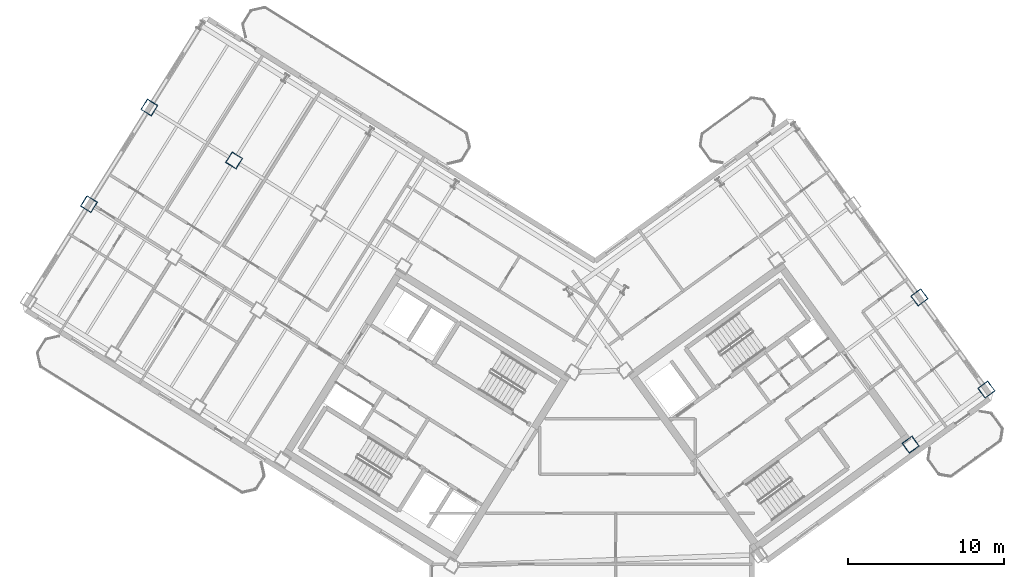
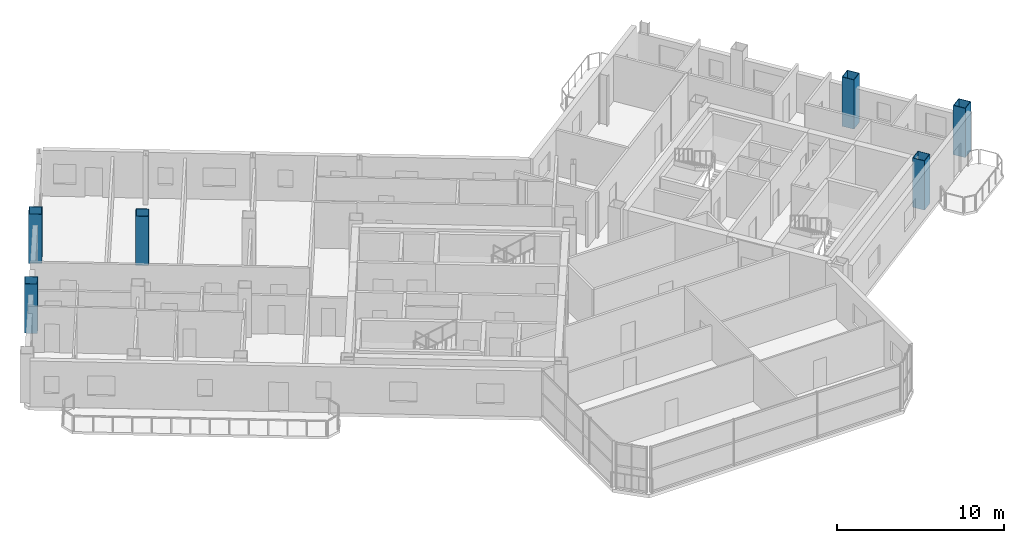
# One storey, part 2 of 20: 6 columns.
"""IFC4 building model written with IfcOpenShell, lengths in metres."""

import ifcopenshell
import ifcopenshell.guid

model = None  # the IFC model being written
_history = None  # IfcOwnerHistory: only IFC2X3 demands one
_inside = {}  # id of a spatial element -> (the spatial element, [elements in it])
_under = {}  # id of a project, library or spatial element -> (it, [spatial elements below it])
_declared = {}  # id of a project -> (the project, [libraries it declares])
_typed = {}  # id of a type object -> (the type object, [elements of that type])
_made_of = {}  # id of a material, layer set ... -> (it, [elements and type objects made of it])


def new_model(schema):
    """Start an empty IFC model of exactly this schema.

    Asked for "IFC4X3", IfcOpenShell would pick the latest addendum, in which some entities
    have other attributes; the version numbers below select the first issue.
    IFC2X3 requires an IfcOwnerHistory on every rooted entity: one is made here for all.
    """
    global model, _history
    if schema == "IFC4X3":
        model = ifcopenshell.file(schema_version=(4, 3, 0, 0))
    else:
        model = ifcopenshell.file(schema=schema)
    _inside.clear()
    _under.clear()
    _declared.clear()
    _typed.clear()
    _made_of.clear()
    _history = None
    if model.schema == "IFC2X3":
        org = make("IfcOrganization", Name="unknown")
        user = make(
            "IfcPersonAndOrganization",
            ThePerson=make("IfcPerson", FamilyName="unknown"),
            TheOrganization=org,
        )
        app = make(
            "IfcApplication",
            ApplicationDeveloper=org,
            Version="unknown",
            ApplicationFullName="unknown",
            ApplicationIdentifier="unknown",
        )
        _history = make(
            "IfcOwnerHistory",
            OwningUser=user,
            OwningApplication=app,
            ChangeAction="ADDED",
            CreationDate=0,
        )
    return model


def make(cls, **values):
    """One entity of the class cls with the attributes given. An attribute that is None is left unset."""
    return model.create_entity(
        cls, **{name: value for name, value in values.items() if value is not None}
    )


def rooted(cls, **values):
    """An entity with a GlobalId (a new one), such as an element, a storey or a relation."""
    return make(cls, GlobalId=ifcopenshell.guid.new(), OwnerHistory=_history, **values)


def si_unit(unit_type, name, prefix=None):
    """IfcSIUnit, for example si_unit("LENGTHUNIT", "METRE", prefix="MILLI")."""
    return make("IfcSIUnit", UnitType=unit_type, Prefix=prefix, Name=name)


def assignment(units):
    """IfcUnitAssignment: the units of a project."""
    return None if units is None else make("IfcUnitAssignment", Units=units)


def point(xyz):
    """IfcCartesianPoint."""
    return None if xyz is None else make("IfcCartesianPoint", Coordinates=xyz)


def direction(xyz):
    """IfcDirection."""
    return None if xyz is None else make("IfcDirection", DirectionRatios=xyz)


def frame(location, z_axis=None, x_axis=None):
    """IfcAxis2Placement3D, a coordinate frame: its origin and axes. An axis left out is left unset."""
    return make(
        "IfcAxis2Placement3D",
        Location=point(location),
        Axis=direction(z_axis),
        RefDirection=direction(x_axis),
    )


def frame_2d(location, x_axis=None):
    """IfcAxis2Placement2D, a coordinate frame in the plane: its origin and x axis."""
    return make(
        "IfcAxis2Placement2D", Location=point(location), RefDirection=direction(x_axis)
    )


def origin():
    """The frame at (0, 0, 0) with its axes left unset."""
    return frame((0.0, 0.0, 0.0))


def origin_2d():
    """The frame at (0, 0) in the plane with its x axis left unset."""
    return frame_2d((0.0, 0.0))


def place(relative_to, where):
    """IfcLocalPlacement: puts the frame where relative to a parent placement (None: the world)."""
    return make(
        "IfcLocalPlacement", PlacementRelTo=relative_to, RelativePlacement=where
    )


def context(
    kind, dimensions, precision=None, world=None, true_north=None, identifier=None
):
    """IfcGeometricRepresentationContext, for example the 3D "Model" context."""
    return make(
        "IfcGeometricRepresentationContext",
        ContextIdentifier=identifier,
        ContextType=kind,
        CoordinateSpaceDimension=dimensions,
        Precision=precision,
        WorldCoordinateSystem=world,
        TrueNorth=true_north,
    )


def subcontext(parent, identifier, kind, view, scale=None):
    """IfcGeometricRepresentationSubContext, for example "Body" below "Model"."""
    return make(
        "IfcGeometricRepresentationSubContext",
        ContextIdentifier=identifier,
        ContextType=kind,
        ParentContext=parent,
        TargetScale=scale,
        TargetView=view,
    )


def project(units=None, contexts=None):
    """IfcProject with its units and contexts."""
    return rooted(
        "IfcProject",
        Name="project",
        RepresentationContexts=contexts,
        UnitsInContext=assignment(units),
    )


def spatial(cls, under=None, at=None, **own):
    """A site, building, storey or space (cls), placed at a placement, below another one or the project."""
    s = rooted(cls, ObjectPlacement=at, **own)
    if under is not None:
        _under.setdefault(under.id(), (under, []))[1].append(s)
    return s


def profile(cls, at=None, kind="AREA", **sizes):
    """A parametric profile (cls). Its sizes go by their IFC names, for example OverallWidth=200.0."""
    return make(cls, ProfileType=kind, Position=at, **sizes)


def hollow_rectangle(**sizes):
    """IfcRectangleHollowProfileDef."""
    return profile("IfcRectangleHollowProfileDef", **sizes)


def extrude(swept, where, along, depth):
    """IfcExtrudedAreaSolid: the profile swept, set in the frame where, extruded along a direction by depth."""
    return make(
        "IfcExtrudedAreaSolid",
        SweptArea=swept,
        Position=where,
        ExtrudedDirection=direction(along),
        Depth=depth,
    )


def shape(context_of_items, identifier, shape_type, items):
    """IfcShapeRepresentation: the items that make up one representation, for example the "Body"."""
    return make(
        "IfcShapeRepresentation",
        ContextOfItems=context_of_items,
        RepresentationIdentifier=identifier,
        RepresentationType=shape_type,
        Items=items,
    )


def source(mapping_origin, context_of_items, identifier, shape_type, items):
    """IfcRepresentationMap: a shape defined once, which mapped items show again and again."""
    return make(
        "IfcRepresentationMap",
        MappingOrigin=mapping_origin,
        MappedRepresentation=shape(context_of_items, identifier, shape_type, items),
    )


def transform(
    local_origin,
    x_axis=None,
    y_axis=None,
    z_axis=None,
    scale=None,
    scale2=None,
    scale3=None,
    uniform=True,
):
    """IfcCartesianTransformationOperator3D, or its non-uniform kind. x_axis, y_axis, z_axis: its Axis1, 2, 3."""
    if uniform:
        return make(
            "IfcCartesianTransformationOperator3D",
            Axis1=direction(x_axis),
            Axis2=direction(y_axis),
            LocalOrigin=point(local_origin),
            Scale=scale,
            Axis3=direction(z_axis),
        )
    return make(
        "IfcCartesianTransformationOperator3DnonUniform",
        Axis1=direction(x_axis),
        Axis2=direction(y_axis),
        LocalOrigin=point(local_origin),
        Scale=scale,
        Axis3=direction(z_axis),
        Scale2=scale2,
        Scale3=scale3,
    )


def mapped(mapping_source, mapping_target):
    """IfcMappedItem: shows the shape of a source again, moved by a transform."""
    return make(
        "IfcMappedItem", MappingSource=mapping_source, MappingTarget=mapping_target
    )


def material(Name=None, Category=None):
    """IfcMaterial."""
    return make("IfcMaterial", Name=Name, Category=Category)


def material_profile(
    of_material, cross_section, Name=None, Category=None, Priority=None
):
    """IfcMaterialProfile: a cross section and its material."""
    return make(
        "IfcMaterialProfile",
        Name=Name,
        Material=of_material,
        Profile=cross_section,
        Priority=Priority,
        Category=Category,
    )


def profile_set(profiles, Name=None, composite=None):
    """IfcMaterialProfileSet."""
    return make(
        "IfcMaterialProfileSet",
        Name=Name,
        MaterialProfiles=profiles,
        CompositeProfile=composite,
    )


def made_of(thing, what):
    """Note that an element or type object is made of a material, layer set ...; save() writes the relation."""
    if what is not None:
        _made_of.setdefault(what.id(), (what, []))[1].append(thing)
    return thing


def type_object(cls, material=None, **own):
    """A type object (cls), such as IfcWallType, which elements share."""
    return made_of(rooted(cls, **own), material)


def element(
    cls,
    number,
    at=None,
    inside=None,
    cuts=None,
    type_object=None,
    material=None,
    context=None,
    identifier="Body",
    shape_type=None,
    held_by="IfcProductDefinitionShape",
    body=None,
    shapes=None,
    **own,
):
    """One element of the class cls, such as IfcWall. Its Tag is "e" and its number.

    at: its placement. inside: the storey or other place that contains it. cuts: it is an
    opening in that element (IfcRelVoidsElement). A single representation is given by context,
    identifier, shape_type and body (its items); several are given by shapes. held_by: the class
    of the entity that holds the representations. save() writes the other relations.
    """
    e = rooted(cls, Tag="e%d" % number, ObjectPlacement=at, **own)
    if body is not None:
        shapes = [shape(context, identifier, shape_type, body)]
    if shapes is not None:
        e.Representation = make(held_by, Representations=shapes)
    if inside is not None:
        _inside.setdefault(inside.id(), (inside, []))[1].append(e)
    if cuts is not None:
        rooted(
            "IfcRelVoidsElement", RelatingBuildingElement=cuts, RelatedOpeningElement=e
        )
    if type_object is not None:
        _typed.setdefault(type_object.id(), (type_object, []))[1].append(e)
    return made_of(e, material)


def aggregate(whole, parts):
    """IfcRelAggregates: a whole, such as a stair, and the parts it consists of."""
    return rooted("IfcRelAggregates", RelatingObject=whole, RelatedObjects=parts)


def save(model, path):
    """Write the relations noted so far, then the file.

    IfcRelAggregates (storeys below a building ...), IfcRelContainedInSpatialStructure (elements
    in a storey), IfcRelDefinesByType, IfcRelAssociatesMaterial and IfcRelDeclares: one each for
    every whole, place, type object, material and project.
    """
    for whole, parts in _under.values():
        aggregate(whole, parts)
    for where, things in _inside.values():
        rooted(
            "IfcRelContainedInSpatialStructure",
            RelatedElements=things,
            RelatingStructure=where,
        )
    for kind, things in _typed.values():
        rooted("IfcRelDefinesByType", RelatedObjects=things, RelatingType=kind)
    for what, things in _made_of.values():
        rooted("IfcRelAssociatesMaterial", RelatedObjects=things, RelatingMaterial=what)
    for by, libraries in _declared.values():
        rooted("IfcRelDeclares", RelatingContext=by, RelatedDefinitions=libraries)
    model.write(path)


model = new_model("IFC4")

# Units and contexts
model_context = context("Model", 3, precision=1e-05, world=origin(), true_north=direction((0.0, 1.0)))
body_context = subcontext(model_context, "Body", "Model", "MODEL_VIEW")
ifc_project = project(units=[si_unit("LENGTHUNIT", "METRE"), si_unit("AREAUNIT", "SQUARE_METRE"), si_unit("VOLUMEUNIT", "CUBIC_METRE"), si_unit("PLANEANGLEUNIT", "RADIAN"), si_unit("MASSUNIT", "GRAM", prefix="KILO")], contexts=[model_context])

# Site, building, storey
site_placement = place(None, origin())
site = spatial("IfcSite", under=ifc_project, at=site_placement, CompositionType="ELEMENT")
building_placement = place(site_placement, origin())
building = spatial("IfcBuilding", under=site, at=building_placement, Name="Tlacorven Tower", CompositionType="ELEMENT")
storey_placement = place(building_placement, frame((0.0, 0.0, 211.199951171875)))
storey = spatial("IfcBuildingStorey", under=building, at=storey_placement, Name="L53", CompositionType="ELEMENT", Elevation=211.199951171875)

# Columns
ifc_material = material(Name="Steel S460M", Category="steel")
ifc_material_profile = material_profile(ifc_material, hollow_rectangle(XDim=0.800048828125, YDim=0.800048828125, WallThickness=0.031982421875, at=origin_2d()), Name="BOX 800X800X32")
ifc_profile_set = profile_set([ifc_material_profile], Name="Steel S460M")
column_type = type_object("IfcColumnType", Name="COL-TWR-S3", PredefinedType="COLUMN", material=ifc_profile_set)
shared_shape = source(origin(), body_context, "Body", "SweptSolid", [
    extrude(hollow_rectangle(XDim=0.800048828125, YDim=0.800048828125, WallThickness=0.031982421875, at=origin_2d()), origin(), (0.0, 0.0, 1.0), 3.60009765625),
])
for number, where, z_axis, x_axis, name in (
    (1, (19.072998046875, 38.034423828125, 0.0), (0.0, 0.0, 1.0), (-0.848048096156, 0.529919264233, 0.0), "L53 column COL-L53-W5-2"),
    (2, (13.6455078125, 41.42578125, 0.0), (0.0, 0.0, 1.0), (-0.848048096156, 0.529919264233, 0.0), "L53 column COL-L53-W6-2"),
    (3, (9.777099609375, 35.235107421875, 0.0), (0.0, 0.0, 1.0), (-0.848048096156, 0.529919264233, 0.0), "L53 column COL-L53-W6-3"),
    (4, (62.41357421875, 19.826904296875, 0.0), (0.0, 0.0, 1.0), (0.809016994375, 0.587785252292, 0.0), "L53 column COL-L53-E3-1"),
    (5, (67.267822265625, 23.353515625, 0.0), (0.0, 0.0, 1.0), (0.809016994375, 0.587785252292, 0.0), "L53 column COL-L53-E4-1"),
    (6, (62.976806640625, 29.25927734375, 0.0), (0.0, 0.0, 1.0), (0.809016994375, 0.587785252292, 0.0), "L53 column COL-L53-E4-2"),
):
    element("IfcColumn", number, at=place(storey_placement, frame(where, z_axis=z_axis, x_axis=x_axis)), inside=storey, type_object=column_type, Name=name, PredefinedType="COLUMN", context=body_context, shape_type="MappedRepresentation", body=[
        mapped(shared_shape, transform((0.0, 0.0, 0.0), scale=1.0)),
    ])

save(model, "model.ifc")
